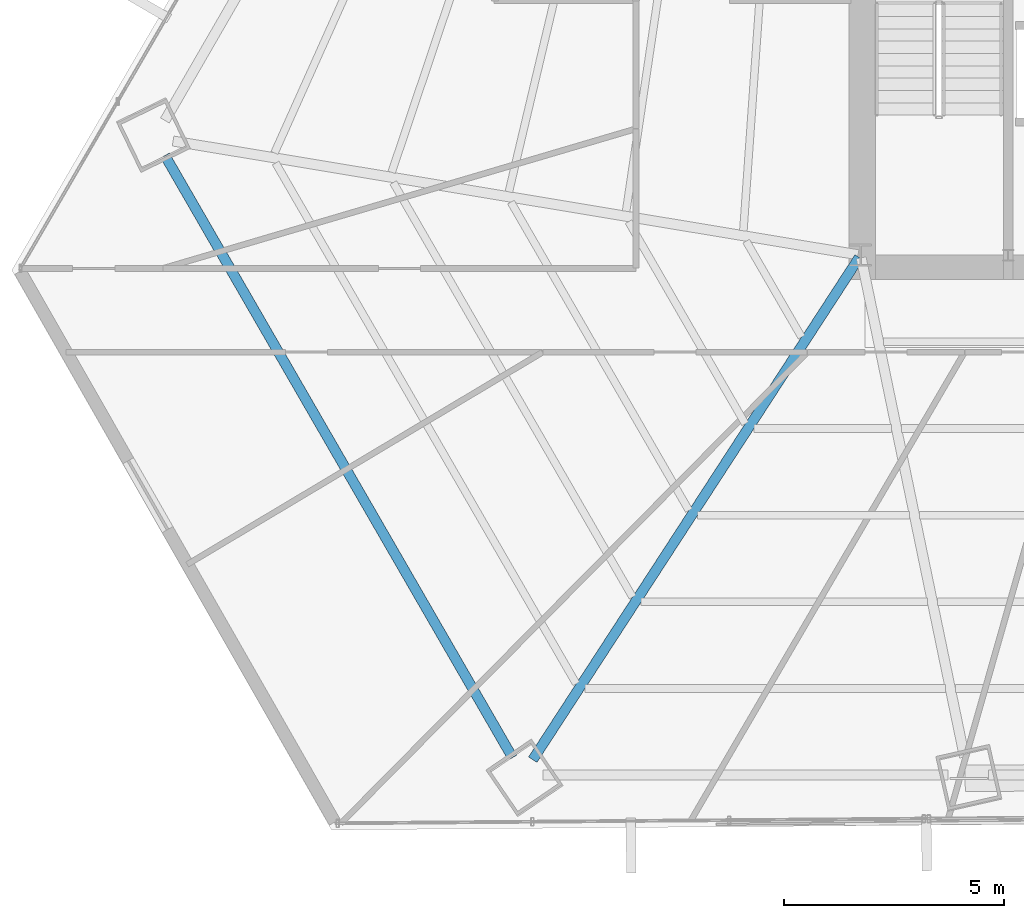
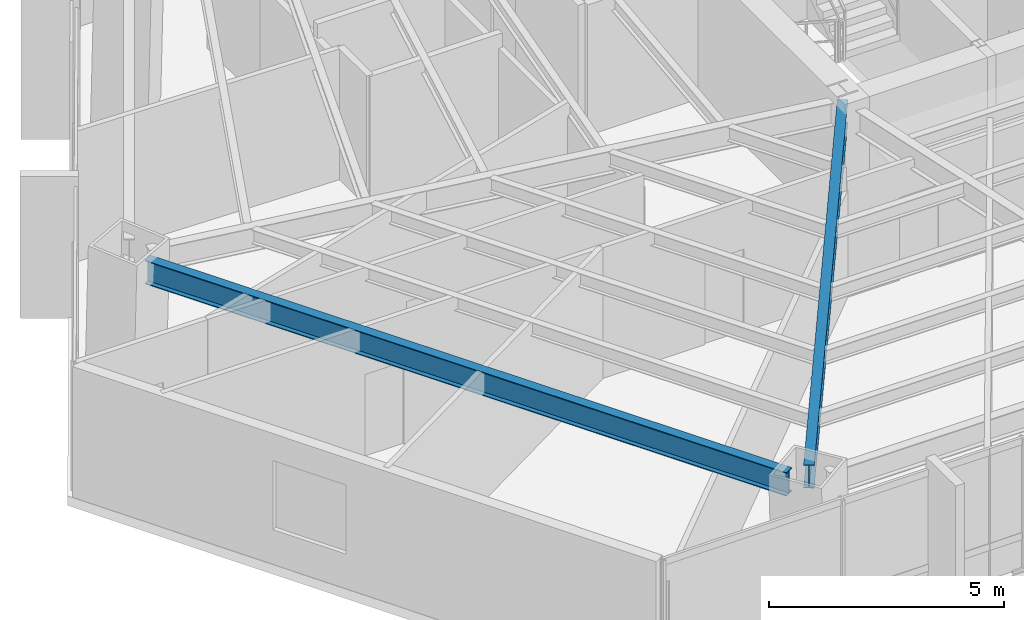
# One storey, part 5 of 36: 2 beams.
"""IFC4 building model written with IfcOpenShell, lengths in metres."""

from ifc_helpers import new_model, si_unit, direction, frame, origin, origin_2d, place, context, subcontext, project, spatial, i_section, extrude, source, transform, mapped, material, material_profile, profile_set, type_object, type_shapes, element, save


model = new_model("IFC4")

# Units and contexts
model_context = context("Model", 3, precision=1e-05, world=origin(), true_north=direction((0.0, 1.0)))
body_context = subcontext(model_context, "Body", "Model", "MODEL_VIEW")
ifc_project = project(units=[si_unit("LENGTHUNIT", "METRE"), si_unit("AREAUNIT", "SQUARE_METRE"), si_unit("VOLUMEUNIT", "CUBIC_METRE"), si_unit("PLANEANGLEUNIT", "RADIAN"), si_unit("MASSUNIT", "GRAM", prefix="KILO")], contexts=[model_context])

# Site, building, storey
site_placement = place(None, origin())
site = spatial("IfcSite", under=ifc_project, at=site_placement, CompositionType="ELEMENT")
building_placement = place(site_placement, origin())
building = spatial("IfcBuilding", under=site, at=building_placement, Name="Caelisora Broadcast Tower", CompositionType="ELEMENT")
storey_placement = place(building_placement, frame((0.0, 0.0, 64.10009765625)))
storey = spatial("IfcBuildingStorey", under=building, at=storey_placement, Name="L16", CompositionType="ELEMENT", Elevation=64.10009765625)

# Beams
ifc_material = material(Name="Steel Grade 350 (AS/NZS 3679.1)", Category="steel")
ifc_material_profile_1 = material_profile(ifc_material, i_section(OverallWidth=0.22900390625, OverallDepth=0.611572265625, WebThickness=0.011962890625, FlangeThickness=0.01953125, at=origin_2d()), Name="Steel Grade 350 (AS/NZS 3679.1)")
ifc_profile_set_1 = profile_set([ifc_material_profile_1], Name="Steel Grade 350 (AS/NZS 3679.1)")
beam_type_1 = type_object("IfcBeamType", Name="PG03", PredefinedType="BEAM", material=ifc_profile_set_1)
shared_shape_1 = source(origin(), body_context, "Body", "SweptSolid", [
    extrude(i_section(OverallWidth=0.22900390625, OverallDepth=0.611572265625, WebThickness=0.011962890625, FlangeThickness=0.01953125, at=origin_2d()), origin(), (0.0, 0.0, 1.0), 15.784912109375),
])
type_shapes(beam_type_1, [shared_shape_1])
beam_1_placement = place(storey_placement, frame((14.70458984375, 19.663818359375, 3.093994140625), z_axis=(0.499993345929, -0.86602924548, 0.0), x_axis=(0.86602924548, 0.499993345929, 0.0)))
element("IfcBeam", 1, at=beam_1_placement, inside=storey, type_object=beam_type_1, Name="L16 beam PG03", PredefinedType="BEAM", context=body_context, shape_type="MappedRepresentation", body=[
    mapped(shared_shape_1, transform((0.0, 0.0, 0.0), scale=1.0)),
])
ifc_material_profile_2 = material_profile(ifc_material, i_section(OverallWidth=0.22802734375, OverallDepth=0.602294921875, WebThickness=0.010498046875, FlangeThickness=0.014892578125, at=origin_2d()), Name="Steel Grade 350 (AS/NZS 3679.1)")
ifc_profile_set_2 = profile_set([ifc_material_profile_2], Name="Steel Grade 350 (AS/NZS 3679.1)")
beam_type_2 = type_object("IfcBeamType", Name="PG04", PredefinedType="BEAM", material=ifc_profile_set_2)
shared_shape_2 = source(origin(), body_context, "Body", "SweptSolid", [
    extrude(i_section(OverallWidth=0.22802734375, OverallDepth=0.602294921875, WebThickness=0.010498046875, FlangeThickness=0.014892578125, at=origin_2d()), origin(), (0.0, 0.0, 1.0), 13.59912109375),
])
type_shapes(beam_type_2, [shared_shape_2])
beam_2_placement = place(storey_placement, frame((30.46728515625, 17.349609375, 3.098876953125), z_axis=(-0.54498898162, -0.838443206134, 0.0), x_axis=(0.838443206134, -0.54498898162, 0.0)))
element("IfcBeam", 2, at=beam_2_placement, inside=storey, type_object=beam_type_2, Name="L16 beam PG04", PredefinedType="BEAM", context=body_context, shape_type="MappedRepresentation", body=[
    mapped(shared_shape_2, transform((0.0, 0.0, 0.0), scale=1.0)),
])

save(model, "model.ifc")
